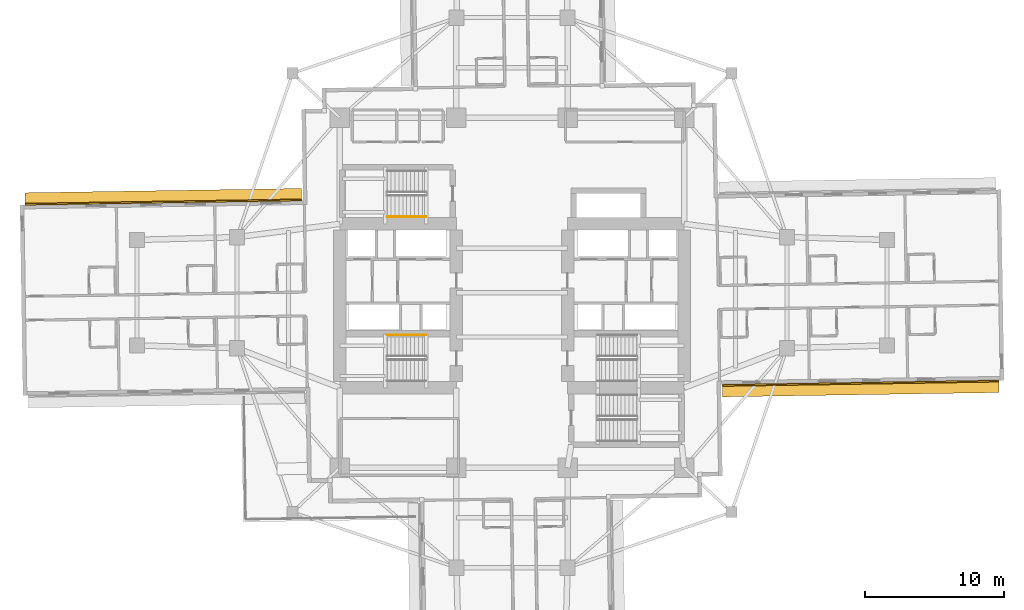
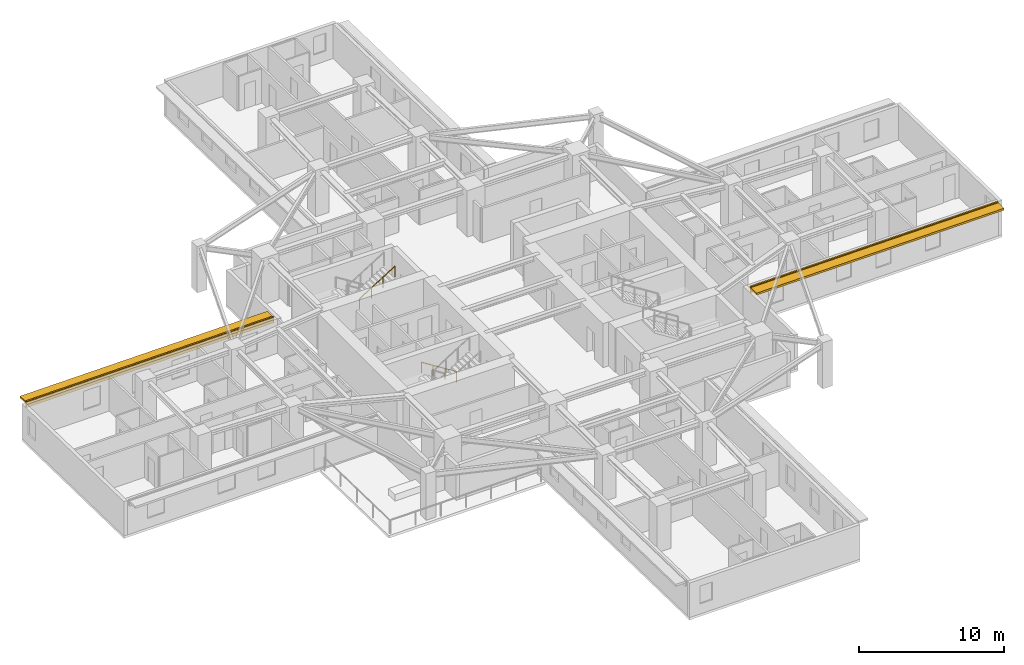
# One storey, part 12 of 14: 2 coverings, 2 railings, 2 shading devices.
"""IFC4 building model written with IfcOpenShell, lengths in metres."""

from ifc_helpers import new_model, si_unit, direction, frame, origin, origin_2d, place, context, subcontext, project, spatial, rectangle, circle, extrude, material, layer, layer_set, type_object, element, save


model = new_model("IFC4")

# Units and contexts
model_context = context("Model", 3, precision=1e-05, world=origin(), true_north=direction((0.0, 1.0)))
body_context = subcontext(model_context, "Body", "Model", "MODEL_VIEW")
ifc_project = project(units=[si_unit("LENGTHUNIT", "METRE"), si_unit("AREAUNIT", "SQUARE_METRE"), si_unit("VOLUMEUNIT", "CUBIC_METRE"), si_unit("PLANEANGLEUNIT", "RADIAN"), si_unit("MASSUNIT", "GRAM", prefix="KILO")], contexts=[model_context])

# Site, building, storey
site_placement = place(None, origin())
site = spatial("IfcSite", under=ifc_project, at=site_placement, CompositionType="ELEMENT")
building_placement = place(site_placement, origin())
building = spatial("IfcBuilding", under=site, at=building_placement, Name="Qingluan Cross Belvedere", CompositionType="ELEMENT")
storey_placement = place(building_placement, frame((0.0, 0.0, 60.0)))
storey = spatial("IfcBuildingStorey", under=building, at=storey_placement, Name="L15", CompositionType="ELEMENT", Elevation=60.0)

# Coverings
ifc_material_1 = material(Name="Precast concrete C45", Category="concrete")
ifc_layer_1 = layer(ifc_material_1, 0.1201171875, Name="ConcreteSpandrelCladding_120")
ifc_layer_set_1 = layer_set([ifc_layer_1], Name="Precast concrete C45")
covering_type = type_object("IfcCoveringType", Name="ConcreteSpandrelCladding_120", PredefinedType="CLADDING", material=ifc_layer_set_1)
for number, where, z_axis, x_axis, name in (
    (1, (25.095458984375, -6.5166015625, 2.449951171875), (0.0, 0.0, 1.0), (0.999876645576, 0.015706483741, 0.0), "Spandrel cladding L15-EA"),
    (2, (-25.095458984375, 6.5166015625, 2.449951171875), (0.0, 0.0, 1.0), (-0.999876645576, -0.015706483741, 0.0), "Spandrel cladding L15-WA"),
):
    element("IfcCovering", number, at=place(storey_placement, frame(where, z_axis=z_axis, x_axis=x_axis)), inside=storey, type_object=covering_type, Name=name, PredefinedType="CLADDING", context=body_context, shape_type="SweptSolid", body=[
        extrude(rectangle(XDim=19.89990234375, YDim=0.1201171875, at=origin_2d()), origin(), (0.0, 0.0, 1.0), 0.52001953125),
    ])

# Shading devices
ifc_material_2 = material(Name="Precast concrete C45", Category="concrete")
ifc_layer_2 = layer(ifc_material_2, 0.159912109375, Name="ConcreteSunshadeBand_900")
ifc_layer_set_2 = layer_set([ifc_layer_2], Name="Precast concrete C45")
shading_device_type = type_object("IfcShadingDeviceType", Name="ConcreteSunshadeBand_900", PredefinedType="USERDEFINED", material=ifc_layer_set_2)
for number, where, z_axis, x_axis, name in (
    (3, (25.101318359375, -6.896484375, 2.72998046875), (0.0, 0.0, 1.0), (0.999876645576, 0.015706483741, 0.0), "Concrete SUNSHADE L15-EA"),
    (4, (-25.101318359375, 6.896484375, 2.72998046875), (0.0, 0.0, 1.0), (-0.999876645576, -0.015706483741, 0.0), "Concrete SUNSHADE L15-WA"),
):
    element("IfcShadingDevice", number, at=place(storey_placement, frame(where, z_axis=z_axis, x_axis=x_axis)), inside=storey, type_object=shading_device_type, Name=name, ObjectType="SUNSHADE", PredefinedType="USERDEFINED", context=body_context, shape_type="SweptSolid", body=[
        extrude(rectangle(XDim=19.89990234375, YDim=0.89990234375, at=origin_2d()), origin(), (0.0, 0.0, 1.0), 0.159912109375),
    ])

# Railings
ifc_material_3 = material(Name="Brushed stainless steel tubular handrail", Category="steel")
railing_type = type_object("IfcRailingType", Name="StairPitchHandrail_900", PredefinedType="HANDRAIL", material=ifc_material_3)
railing_1_placement = place(storey_placement, frame((-6.179931640625, -3.050048828125, 0.17724609375)))
element("IfcRailing", 5, at=railing_1_placement, inside=storey, type_object=railing_type, Name="L15 ST1 stair handrail 1", PredefinedType="HANDRAIL", context=body_context, shape_type="SweptSolid", body=[
    extrude(circle(Radius=0.02392578125, at=origin_2d()), frame((0.0, 0.0, 0.8759765625), z_axis=(-0.844908973607, 0.0, 0.534910110503), x_axis=(0.0, -1.0, 0.0)), (0.0, 0.0, 1.0), 3.31396484375),
    extrude(circle(Radius=0.02099609375, at=origin_2d()), origin(), (0.0, 0.0, 1.0), 0.851806640625),
    extrude(circle(Radius=0.02099609375, at=origin_2d()), frame((-0.933349609375, 0.0, 0.5908203125)), (0.0, 0.0, 1.0), 0.851806640625),
    extrude(circle(Radius=0.02099609375, at=origin_2d()), frame((-1.86669921875, 0.0, 1.181884765625)), (0.0, 0.0, 1.0), 0.851806640625),
    extrude(circle(Radius=0.02099609375, at=origin_2d()), frame((-2.800048828125, 0.0, 1.772705078125)), (0.0, 0.0, 1.0), 0.851806640625),
])
railing_2_placement = place(storey_placement, frame((-8.97998046875, 5.469970703125, 2.127197265625)))
element("IfcRailing", 6, at=railing_2_placement, inside=storey, type_object=railing_type, Name="L15 ST3 stair handrail 2", PredefinedType="HANDRAIL", context=body_context, shape_type="SweptSolid", body=[
    extrude(circle(Radius=0.02392578125, at=origin_2d()), frame((0.0, 0.0, 0.8759765625), z_axis=(0.844908973607, 0.0, 0.534910110503), x_axis=(0.0, 1.0, 0.0)), (0.0, 0.0, 1.0), 3.31396484375),
    extrude(circle(Radius=0.02099609375, at=origin_2d()), origin(), (0.0, 0.0, 1.0), 0.851806640625),
    extrude(circle(Radius=0.02099609375, at=origin_2d()), frame((0.933349609375, 0.0, 0.5908203125)), (0.0, 0.0, 1.0), 0.851806640625),
    extrude(circle(Radius=0.02099609375, at=origin_2d()), frame((1.86669921875, 0.0, 1.181884765625)), (0.0, 0.0, 1.0), 0.851806640625),
    extrude(circle(Radius=0.02099609375, at=origin_2d()), frame((2.800048828125, 0.0, 1.772705078125)), (0.0, 0.0, 1.0), 0.851806640625),
])

save(model, "model.ifc")
